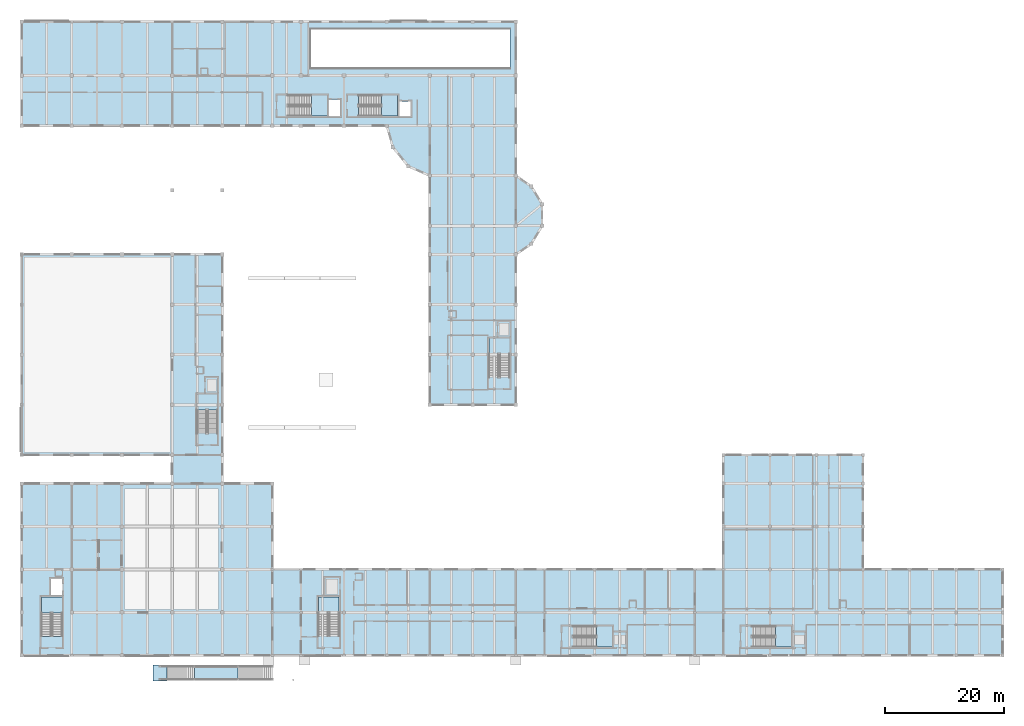
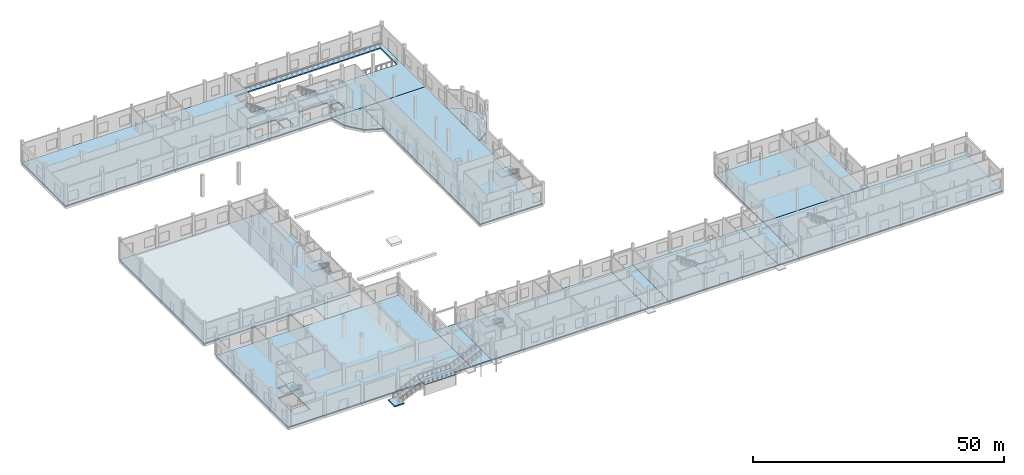
# One storey, part 13 of 41: 24 slabs, 9 elements without a shape of their own.
"""IFC4 building model written with IfcOpenShell, lengths in metres."""

from ifc_helpers import new_model, si_unit, direction, frame, origin, place, context, subcontext, project, spatial, polyline, outline, extrude, material, layer, layer_set, type_object, element, aggregate, save


model = new_model("IFC4")

# Units and contexts
model_context = context("Model", 3, precision=1e-05, world=origin(), true_north=direction((0.0, 1.0)))
body_context = subcontext(model_context, "Body", "Model", "MODEL_VIEW")
ifc_project = project(units=[si_unit("LENGTHUNIT", "METRE"), si_unit("AREAUNIT", "SQUARE_METRE"), si_unit("VOLUMEUNIT", "CUBIC_METRE"), si_unit("PLANEANGLEUNIT", "RADIAN"), si_unit("MASSUNIT", "GRAM", prefix="KILO")], contexts=[model_context])

# Site, building, storey
site_placement = place(None, origin())
site = spatial("IfcSite", under=ifc_project, at=site_placement, CompositionType="ELEMENT")
building_placement = place(site_placement, origin())
building = spatial("IfcBuilding", under=site, at=building_placement, Name="Kahlenmark Community Centre", CompositionType="ELEMENT")
storey_placement = place(building_placement, origin())
storey = spatial("IfcBuildingStorey", under=building, at=storey_placement, Name="L00", CompositionType="ELEMENT", Elevation=0.0)

# Stair, slab
ifc_material_1 = material(Name="Concrete C35/45", Category="concrete")
stair_type_1 = type_object("IfcStairType", Name="STT-CORE-ST-01-180", PredefinedType="HALF_TURN_STAIR", material=ifc_material_1)
stair_1_placement = place(storey_placement, origin())
stair_1 = element("IfcStair", 1, at=stair_1_placement, inside=storey, type_object=stair_type_1, Name="L00 Core K1 Escape Stair ST-01", PredefinedType="HALF_TURN_STAIR")
ifc_layer_1 = layer(ifc_material_1, 0.199951171875)
ifc_layer_set_1 = layer_set([ifc_layer_1], Name="Concrete C35/45")
slab_type_1 = type_object("IfcSlabType", Name="SLT-CORE-200", PredefinedType="LANDING", material=ifc_layer_set_1)
slab_1_placement = place(storey_placement, frame((0.0, 0.0, 2.5)))
slab_1 = element("IfcSlab", 2, at=slab_1_placement, type_object=slab_type_1, Name="ST-01 landing 1", PredefinedType="LANDING", context=body_context, shape_type="SweptSolid", body=[
    extrude(outline(polyline([(10.800048828125, 15.919921875), (10.800048828125, 18.60009765625), (7.300048828125, 18.60009765625), (7.300048828125, 15.919921875), (10.800048828125, 15.919921875)])), origin(), (0.0, 0.0, 1.0), 0.199951171875),
])
aggregate(stair_1, [slab_1])

stair_type_2 = type_object("IfcStairType", Name="STT-CORE-ST-02-180", PredefinedType="HALF_TURN_STAIR", material=ifc_material_1)
stair_2_placement = place(storey_placement, origin())
stair_2 = element("IfcStair", 3, at=stair_2_placement, inside=storey, type_object=stair_type_2, Name="L00 Core K2 Escape Stair ST-02", PredefinedType="HALF_TURN_STAIR")
slab_2_placement = place(storey_placement, frame((0.0, 0.0, 2.5)))
slab_2 = element("IfcSlab", 4, at=slab_2_placement, type_object=slab_type_1, Name="ST-02 landing 1", PredefinedType="LANDING", context=body_context, shape_type="SweptSolid", body=[
    extrude(outline(polyline([(36.800048828125, 49.919921875), (36.800048828125, 52.60009765625), (33.300048828125, 52.60009765625), (33.300048828125, 49.919921875), (36.800048828125, 49.919921875)])), origin(), (0.0, 0.0, 1.0), 0.199951171875),
])
aggregate(stair_2, [slab_2])

stair_type_3 = type_object("IfcStairType", Name="STT-CORE-ST-03-180", PredefinedType="HALF_TURN_STAIR", material=ifc_material_1)
stair_3_placement = place(storey_placement, origin())
stair_3 = element("IfcStair", 5, at=stair_3_placement, inside=storey, type_object=stair_type_3, Name="L00 Core K3 Escape Stair ST-03", PredefinedType="HALF_TURN_STAIR")
slab_3_placement = place(storey_placement, frame((0.0, 0.0, 2.5)))
slab_3 = element("IfcSlab", 6, at=slab_3_placement, type_object=slab_type_1, Name="ST-03 landing 1", PredefinedType="LANDING", context=body_context, shape_type="SweptSolid", body=[
    extrude(outline(polyline([(57.199951171875, 15.919921875), (57.199951171875, 18.60009765625), (53.699951171875, 18.60009765625), (53.699951171875, 15.919921875), (57.199951171875, 15.919921875)])), origin(), (0.0, 0.0, 1.0), 0.199951171875),
])
aggregate(stair_3, [slab_3])

stair_type_4 = type_object("IfcStairType", Name="STT-CORE-ST-04-180", PredefinedType="HALF_TURN_STAIR", material=ifc_material_1)
stair_4_placement = place(storey_placement, origin())
stair_4 = element("IfcStair", 7, at=stair_4_placement, inside=storey, type_object=stair_type_4, Name="L00 Core K4 Escape Stair ST-04", PredefinedType="HALF_TURN_STAIR")
slab_4_placement = place(storey_placement, frame((0.0, 0.0, 2.5)))
slab_4 = element("IfcSlab", 8, at=slab_4_placement, type_object=slab_type_1, Name="ST-04 landing 1", PredefinedType="LANDING", context=body_context, shape_type="SweptSolid", body=[
    extrude(outline(polyline([(52.52001953125, 99.199951171875), (55.199951171875, 99.199951171875), (55.199951171875, 102.699951171875), (52.52001953125, 102.699951171875), (52.52001953125, 99.199951171875)])), origin(), (0.0, 0.0, 1.0), 0.199951171875),
])
aggregate(stair_4, [slab_4])

stair_type_5 = type_object("IfcStairType", Name="STT-CORE-ST-05-180", PredefinedType="HALF_TURN_STAIR", material=ifc_material_1)
stair_5_placement = place(storey_placement, origin())
stair_5 = element("IfcStair", 9, at=stair_5_placement, inside=storey, type_object=stair_type_5, Name="L00 Core K5 Escape Stair ST-05", PredefinedType="HALF_TURN_STAIR")
slab_5_placement = place(storey_placement, frame((0.0, 0.0, 2.5)))
slab_5 = element("IfcSlab", 10, at=slab_5_placement, type_object=slab_type_1, Name="ST-05 landing 1", PredefinedType="LANDING", context=body_context, shape_type="SweptSolid", body=[
    extrude(outline(polyline([(64.320068359375, 99.199951171875), (67.0, 99.199951171875), (67.0, 102.699951171875), (64.320068359375, 102.699951171875), (64.320068359375, 99.199951171875)])), origin(), (0.0, 0.0, 1.0), 0.199951171875),
])
aggregate(stair_5, [slab_5])

stair_type_6 = type_object("IfcStairType", Name="STT-CORE-ST-06-180", PredefinedType="HALF_TURN_STAIR", material=ifc_material_1)
stair_6_placement = place(storey_placement, origin())
stair_6 = element("IfcStair", 11, at=stair_6_placement, inside=storey, type_object=stair_type_6, Name="L00 Core K6 Escape Stair ST-06", PredefinedType="HALF_TURN_STAIR")
slab_6_placement = place(storey_placement, frame((0.0, 0.0, 2.5)))
slab_6 = element("IfcSlab", 12, at=slab_6_placement, type_object=slab_type_1, Name="ST-06 landing 1", PredefinedType="LANDING", context=body_context, shape_type="SweptSolid", body=[
    extrude(outline(polyline([(85.800048828125, 59.320068359375), (85.800048828125, 62.0), (82.300048828125, 62.0), (82.300048828125, 59.320068359375), (85.800048828125, 59.320068359375)])), origin(), (0.0, 0.0, 1.0), 0.199951171875),
])
aggregate(stair_6, [slab_6])

stair_type_7 = type_object("IfcStairType", Name="STT-CORE-ST-07-180", PredefinedType="HALF_TURN_STAIR", material=ifc_material_1)
stair_7_placement = place(storey_placement, origin())
stair_7 = element("IfcStair", 13, at=stair_7_placement, inside=storey, type_object=stair_type_7, Name="L00 Core K7 Escape Stair ST-07", PredefinedType="HALF_TURN_STAIR")
slab_7_placement = place(storey_placement, frame((0.0, 0.0, 2.5)))
slab_7 = element("IfcSlab", 14, at=slab_7_placement, type_object=slab_type_1, Name="ST-07 landing 1", PredefinedType="LANDING", context=body_context, shape_type="SweptSolid", body=[
    extrude(outline(polyline([(100.320068359375, 10.199951171875), (103.0, 10.199951171875), (103.0, 13.699951171875), (100.320068359375, 13.699951171875), (100.320068359375, 10.199951171875)])), origin(), (0.0, 0.0, 1.0), 0.199951171875),
])
aggregate(stair_7, [slab_7])

stair_type_8 = type_object("IfcStairType", Name="STT-CORE-ST-08-180", PredefinedType="HALF_TURN_STAIR", material=ifc_material_1)
stair_8_placement = place(storey_placement, origin())
stair_8 = element("IfcStair", 15, at=stair_8_placement, inside=storey, type_object=stair_type_8, Name="L00 Core K8 Escape Stair ST-08", PredefinedType="HALF_TURN_STAIR")
slab_8_placement = place(storey_placement, frame((0.0, 0.0, 2.5)))
slab_8 = element("IfcSlab", 16, at=slab_8_placement, type_object=slab_type_1, Name="ST-08 landing 1", PredefinedType="LANDING", context=body_context, shape_type="SweptSolid", body=[
    extrude(outline(polyline([(130.320068359375, 10.199951171875), (133.0, 10.199951171875), (133.0, 13.699951171875), (130.320068359375, 13.699951171875), (130.320068359375, 10.199951171875)])), origin(), (0.0, 0.0, 1.0), 0.199951171875),
])
aggregate(stair_8, [slab_8])

ifc_material_2 = material(Name="Oxide-vermilion painted Steel S355", Category="steel")
stair_type_9 = type_object("IfcStairType", Name="STT-OUT-ST09", PredefinedType="STRAIGHT_RUN_STAIR", material=ifc_material_2)
stair_9_placement = place(storey_placement, origin())
stair_9 = element("IfcStair", 17, at=stair_9_placement, inside=storey, type_object=stair_type_9, Name="South Forecourt Ceremonial Stair ST-09", PredefinedType="STRAIGHT_RUN_STAIR")
ifc_layer_2 = layer(ifc_material_1, 0.219970703125)
ifc_layer_set_2 = layer_set([ifc_layer_2], Name="Concrete C35/45")
slab_type_2 = type_object("IfcSlabType", Name="SLT-OUT-ST09", PredefinedType="LANDING", material=ifc_layer_set_2)
slab_9_placement = place(storey_placement, frame((0.0, 0.0, 2.47998046875)))
slab_9 = element("IfcSlab", 18, at=slab_9_placement, type_object=slab_type_2, Name="ST-09 landing 1", PredefinedType="LANDING", context=body_context, shape_type="SweptSolid", body=[
    extrude(outline(polyline([(32.919921875, 4.675048828125), (40.219970703125, 4.675048828125), (40.219970703125, 7.02490234375), (32.919921875, 7.02490234375), (32.919921875, 4.675048828125)])), origin(), (0.0, 0.0, 1.0), 0.219970703125),
])
aggregate(stair_9, [slab_9])

# Slabs
ifc_layer_3 = layer(ifc_material_1, 0.300048828125)
ifc_layer_set_3 = layer_set([ifc_layer_3], Name="Concrete C35/45")
slab_type_3 = type_object("IfcSlabType", Name="ST-FL-RC300", PredefinedType="FLOOR", material=ifc_layer_set_3)
slab_10_placement = place(storey_placement, frame((0.0, 0.0, -0.300048828125)))
element("IfcSlab", 19, at=slab_10_placement, inside=storey, type_object=slab_type_3, Name="L00 suspended floor slab V1", PredefinedType="FLOOR", context=body_context, shape_type="SweptSolid", body=[
    extrude(outline(polyline([(4.0, 8.800048828125), (46.0, 8.800048828125), (46.0, 37.60009765625), (4.0, 37.60009765625), (4.0, 8.800048828125)]), holes=[polyline([(7.305908203125, 12.006103515625), (10.7939453125, 12.006103515625), (10.7939453125, 18.593994140625), (7.305908203125, 18.593994140625), (7.305908203125, 12.006103515625)]), polyline([(8.845947265625, 18.85595703125), (10.7939453125, 18.85595703125), (10.7939453125, 21.60400390625), (8.845947265625, 21.60400390625), (8.845947265625, 18.85595703125)])]), origin(), (0.0, 0.0, 1.0), 0.300048828125),
])
slab_11_placement = place(storey_placement, frame((0.0, 0.0, -0.300048828125)))
element("IfcSlab", 20, at=slab_11_placement, inside=storey, type_object=slab_type_3, Name="L00 suspended floor slab V4N", PredefinedType="FLOOR", context=body_context, shape_type="SweptSolid", body=[
    extrude(outline(polyline([(4.0, 97.60009765625), (86.800048828125, 97.60009765625), (86.800048828125, 115.0), (4.0, 115.0), (4.0, 97.60009765625)]), holes=[polyline([(48.60595703125, 99.2060546875), (55.194091796875, 99.2060546875), (55.194091796875, 102.694091796875), (48.60595703125, 102.694091796875), (48.60595703125, 99.2060546875)]), polyline([(60.406005859375, 99.2060546875), (66.993896484375, 99.2060546875), (66.993896484375, 102.694091796875), (60.406005859375, 102.694091796875), (60.406005859375, 99.2060546875)]), polyline([(55.4560546875, 99.2060546875), (57.404052734375, 99.2060546875), (57.404052734375, 101.9541015625), (55.4560546875, 101.9541015625), (55.4560546875, 99.2060546875)]), polyline([(67.256103515625, 99.2060546875), (69.2041015625, 99.2060546875), (69.2041015625, 101.654052734375), (67.256103515625, 101.654052734375), (67.256103515625, 99.2060546875)]), polyline([(52.406005859375, 107.2060546875), (85.7939453125, 107.2060546875), (85.7939453125, 113.7939453125), (52.406005859375, 113.7939453125), (52.406005859375, 107.2060546875)])]), origin(), (0.0, 0.0, 1.0), 0.300048828125),
])
slab_12_placement = place(storey_placement, frame((0.0, 0.0, -0.300048828125)))
element("IfcSlab", 21, at=slab_12_placement, inside=storey, type_object=slab_type_3, Name="L00 suspended floor slab V4C", PredefinedType="FLOOR", context=body_context, shape_type="SweptSolid", body=[
    extrude(outline(polyline([(72.39990234375, 50.800048828125), (86.800048828125, 50.800048828125), (86.800048828125, 97.60009765625), (72.39990234375, 97.60009765625), (72.39990234375, 50.800048828125)])), origin(), (0.0, 0.0, 1.0), 0.300048828125),
])
slab_13_placement = place(storey_placement, frame((0.0, 0.0, -0.300048828125)))
element("IfcSlab", 22, at=slab_13_placement, inside=storey, type_object=slab_type_3, Name="L00 suspended floor slab V4W", PredefinedType="FLOOR", context=body_context, shape_type="SweptSolid", body=[
    extrude(outline(polyline([(91.60009765625, 8.800048828125), (116.800048828125, 8.800048828125), (116.800048828125, 23.199951171875), (91.60009765625, 23.199951171875), (91.60009765625, 8.800048828125)])), origin(), (0.0, 0.0, 1.0), 0.300048828125),
])
slab_14_placement = place(storey_placement, frame((0.0, 0.0, -0.300048828125)))
element("IfcSlab", 23, at=slab_14_placement, inside=storey, type_object=slab_type_3, Name="L00 suspended floor slab V4E", PredefinedType="FLOOR", context=body_context, shape_type="SweptSolid", body=[
    extrude(outline(polyline([(121.60009765625, 8.800048828125), (168.39990234375, 8.800048828125), (168.39990234375, 23.199951171875), (121.60009765625, 23.199951171875), (121.60009765625, 8.800048828125)])), origin(), (0.0, 0.0, 1.0), 0.300048828125),
])
slab_15_placement = place(storey_placement, frame((0.0, 0.0, -0.300048828125)))
element("IfcSlab", 24, at=slab_15_placement, inside=storey, type_object=slab_type_3, Name="L00 suspended floor slab V4EN", PredefinedType="FLOOR", context=body_context, shape_type="SweptSolid", body=[
    extrude(outline(polyline([(121.60009765625, 23.199951171875), (145.0, 23.199951171875), (145.0, 42.39990234375), (121.60009765625, 42.39990234375), (121.60009765625, 23.199951171875)])), origin(), (0.0, 0.0, 1.0), 0.300048828125),
])
slab_16_placement = place(storey_placement, frame((0.0, 0.0, -0.300048828125)))
element("IfcSlab", 25, at=slab_16_placement, inside=storey, type_object=slab_type_3, Name="L00 grounded limestone plinth floor GLink-West", PredefinedType="FLOOR", context=body_context, shape_type="SweptSolid", body=[
    extrude(outline(polyline([(29.199951171875, 37.60009765625), (37.60009765625, 37.60009765625), (37.60009765625, 42.39990234375), (29.199951171875, 42.39990234375), (29.199951171875, 37.60009765625)])), origin(), (0.0, 0.0, 1.0), 0.300048828125),
])
slab_17_placement = place(storey_placement, frame((0.0, 0.0, -0.300048828125)))
element("IfcSlab", 26, at=slab_17_placement, inside=storey, type_object=slab_type_3, Name="L00 grounded limestone plinth floor GLink-East1", PredefinedType="FLOOR", context=body_context, shape_type="SweptSolid", body=[
    extrude(outline(polyline([(86.800048828125, 8.800048828125), (91.60009765625, 8.800048828125), (91.60009765625, 23.199951171875), (86.800048828125, 23.199951171875), (86.800048828125, 8.800048828125)])), origin(), (0.0, 0.0, 1.0), 0.300048828125),
])
slab_18_placement = place(storey_placement, frame((0.0, 0.0, -0.300048828125)))
element("IfcSlab", 27, at=slab_18_placement, inside=storey, type_object=slab_type_3, Name="L00 grounded limestone plinth floor GLink-East2", PredefinedType="FLOOR", context=body_context, shape_type="SweptSolid", body=[
    extrude(outline(polyline([(116.800048828125, 8.800048828125), (121.60009765625, 8.800048828125), (121.60009765625, 23.199951171875), (116.800048828125, 23.199951171875), (116.800048828125, 8.800048828125)])), origin(), (0.0, 0.0, 1.0), 0.300048828125),
])
slab_19_placement = place(storey_placement, frame((0.0, 0.0, -0.300048828125)))
element("IfcSlab", 28, at=slab_19_placement, inside=storey, type_object=slab_type_3, Name="L00 covered public passage deck", PredefinedType="FLOOR", context=body_context, shape_type="SweptSolid", body=[
    extrude(outline(polyline([(46.0, 8.800048828125), (50.800048828125, 8.800048828125), (50.800048828125, 23.199951171875), (46.0, 23.199951171875), (46.0, 8.800048828125)])), origin(), (0.0, 0.0, 1.0), 0.300048828125),
])
slab_20_placement = place(storey_placement, frame((0.0, 0.0, -0.300048828125)))
element("IfcSlab", 29, at=slab_20_placement, inside=storey, type_object=slab_type_3, Name="L00 ceremonial stair forecourt plinth slab", PredefinedType="FLOOR", context=body_context, shape_type="SweptSolid", body=[
    extrude(outline(polyline([(26.0, 4.5), (28.300048828125, 4.5), (28.300048828125, 7.199951171875), (26.0, 7.199951171875), (26.0, 4.5)])), origin(), (0.0, 0.0, 1.0), 0.300048828125),
])
slab_21_placement = place(storey_placement, frame((0.0, 0.0, -0.300048828125)))
element("IfcSlab", 30, at=slab_21_placement, inside=storey, type_object=slab_type_3, Name="L00 East Square Postmodern Library Reading Rotunda floor slab", PredefinedType="FLOOR", context=body_context, shape_type="SweptSolid", body=[
    extrude(outline(polyline([(86.800048828125, 76.0), (89.39990234375, 77.800048828125), (91.199951171875, 80.800048828125), (91.199951171875, 84.39990234375), (89.39990234375, 87.39990234375), (86.800048828125, 89.199951171875), (86.800048828125, 76.0)])), origin(), (0.0, 0.0, 1.0), 0.300048828125),
])
slab_22_placement = place(storey_placement, frame((0.0, 0.0, -0.300048828125)))
element("IfcSlab", 31, at=slab_22_placement, inside=storey, type_object=slab_type_3, Name="L00 Central Courtyard Postmodern Faceted Rotunda Foyer floor slab", PredefinedType="FLOOR", context=body_context, shape_type="SweptSolid", body=[
    extrude(outline(polyline([(65.199951171875, 97.60009765625), (66.199951171875, 94.0), (68.800048828125, 90.800048828125), (72.39990234375, 89.199951171875), (72.39990234375, 97.60009765625), (65.199951171875, 97.60009765625)])), origin(), (0.0, 0.0, 1.0), 0.300048828125),
])
ifc_layer_4 = layer(ifc_material_1, 0.320068359375)
ifc_layer_set_4 = layer_set([ifc_layer_4], Name="Concrete C35/45")
slab_type_4 = type_object("IfcSlabType", Name="ST-FL-RC320", PredefinedType="FLOOR", material=ifc_layer_set_4)
slab_23_placement = place(storey_placement, frame((0.0, 0.0, -0.320068359375)))
element("IfcSlab", 32, at=slab_23_placement, inside=storey, type_object=slab_type_4, Name="L00 suspended floor slab V2", PredefinedType="FLOOR", context=body_context, shape_type="SweptSolid", body=[
    extrude(outline(polyline([(4.0, 42.39990234375), (37.60009765625, 42.39990234375), (37.60009765625, 76.0), (4.0, 76.0), (4.0, 42.39990234375)])), origin(), (0.0, 0.0, 1.0), 0.320068359375),
])
slab_24_placement = place(storey_placement, frame((0.0, 0.0, -0.320068359375)))
element("IfcSlab", 33, at=slab_24_placement, inside=storey, type_object=slab_type_4, Name="L00 suspended floor slab V3", PredefinedType="FLOOR", context=body_context, shape_type="SweptSolid", body=[
    extrude(outline(polyline([(50.800048828125, 8.800048828125), (86.800048828125, 8.800048828125), (86.800048828125, 23.199951171875), (50.800048828125, 23.199951171875), (50.800048828125, 8.800048828125)])), origin(), (0.0, 0.0, 1.0), 0.320068359375),
])

save(model, "model.ifc")
